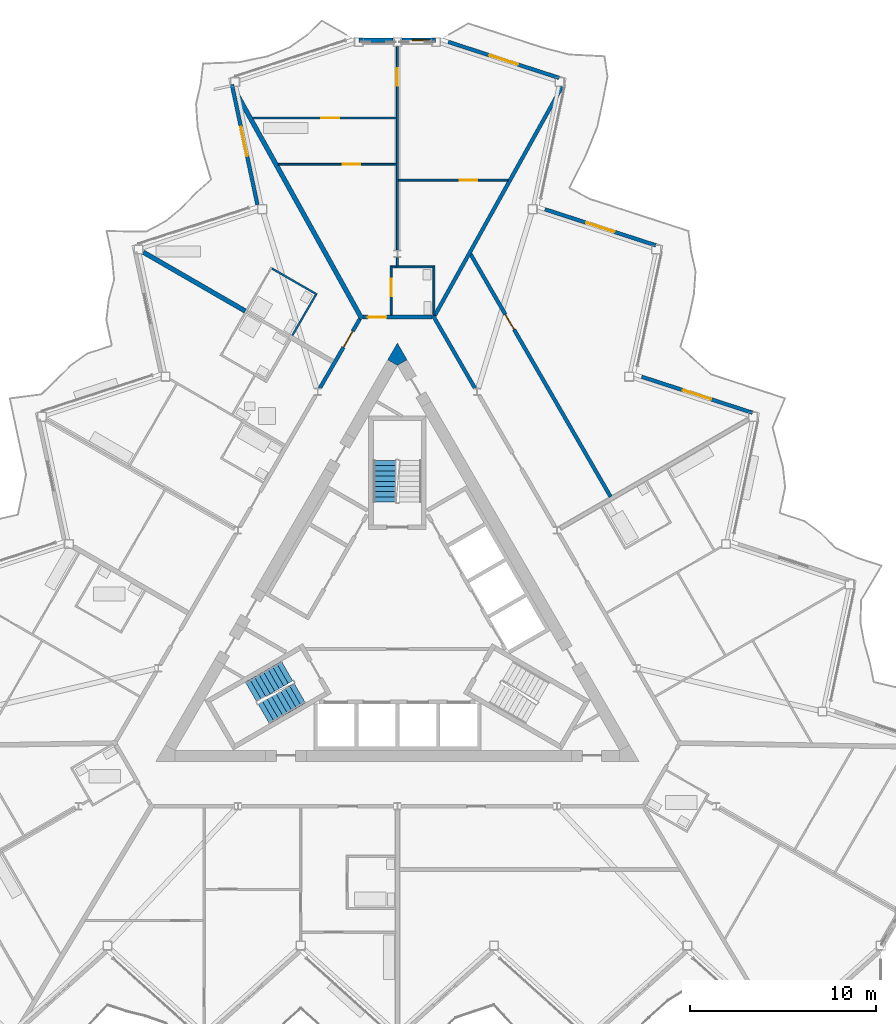
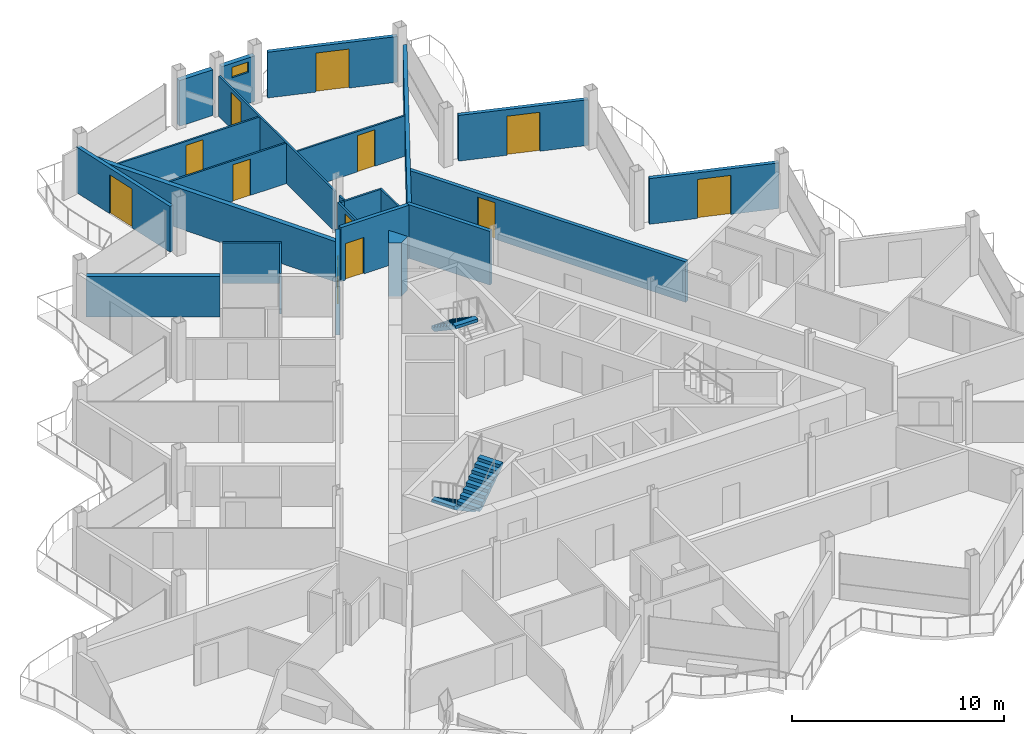
# One storey, part 17 of 26: 25 walls, 12 doors, 3 stair flights, 1 window, 13 openings, 2 elements without a shape of their own.
"""IFC4 building model written with IfcOpenShell, lengths in metres."""

from ifc_helpers import new_model, si_unit, direction, frame, frame_2d, origin, place, context, subcontext, project, spatial, polyline, rectangle, outline, extrude, material, layer, layer_set, type_object, element, fill, aggregate, save


model = new_model("IFC4")

# Units and contexts
model_context = context("Model", 3, precision=1e-05, world=origin(), true_north=direction((0.0, 1.0)))
body_context = subcontext(model_context, "Body", "Model", "MODEL_VIEW")
ifc_project = project(units=[si_unit("LENGTHUNIT", "METRE"), si_unit("AREAUNIT", "SQUARE_METRE"), si_unit("VOLUMEUNIT", "CUBIC_METRE"), si_unit("PLANEANGLEUNIT", "RADIAN"), si_unit("MASSUNIT", "GRAM", prefix="KILO")], contexts=[model_context])

# Site, building, storey
site_placement = place(None, origin())
site = spatial("IfcSite", under=ifc_project, at=site_placement, CompositionType="ELEMENT")
building_placement = place(site_placement, origin())
building = spatial("IfcBuilding", under=site, at=building_placement, Name="Cormorant Prow Tower", CompositionType="ELEMENT")
storey_placement = place(building_placement, frame((0.0, 0.0, 384.800048828125)))
storey = spatial("IfcBuildingStorey", under=building, at=storey_placement, Name="L87", CompositionType="ELEMENT", Elevation=384.800048828125)

# Walls
ifc_material_1 = material(Name="Concrete 8000 psi", Category="concrete")
ifc_layer_1 = layer(ifc_material_1, 0.60009765625)
ifc_layer_set_1 = layer_set([ifc_layer_1], Name="Concrete 8000 psi")
wall_type_1 = type_object("IfcWallType", Name="Core shear wall 600", PredefinedType="SHEAR", material=ifc_layer_set_1)
wall_1_placement = place(storey_placement, origin())
element("IfcWall", 1, at=wall_1_placement, inside=storey, type_object=wall_type_1, Name="Core wall corner", PredefinedType="SHEAR", context=body_context, shape_type="SweptSolid", body=[
    extrude(outline(polyline([(-0.51953125, 14.111083984375), (0.0, 15.010986328125), (0.51953125, 14.111083984375), (0.0, 13.81103515625), (-0.51953125, 14.111083984375)])), origin(), (0.0, 0.0, 1.0), 3.099853515625),
])
ifc_material_2 = material(Name="Gypsum board corridor wall")
ifc_layer_2 = layer(ifc_material_2, 0.199951171875)
ifc_layer_set_2 = layer_set([ifc_layer_2], Name="Gypsum board corridor wall")
wall_type_2 = type_object("IfcWallType", Name="Corridor wall 200", PredefinedType="PARTITIONING", material=ifc_layer_set_2)
wall_2_placement = place(storey_placement, frame((1.9130859375, 16.497802734375, 0.0), z_axis=(0.0, 0.0, 1.0), x_axis=(0.499974648164, -0.866040040179, 0.0)))
element("IfcWall", 2, at=wall_2_placement, inside=storey, type_object=wall_type_2, Name="Corridor wall", PredefinedType="PARTITIONING", context=body_context, shape_type="SweptSolid", body=[
    extrude(rectangle(XDim=4.525146484375, YDim=0.199951171875, at=frame_2d((2.2626953125, 0.0))), origin(), (0.0, 0.0, 1.0), 3.099853515625),
])

# Wall, opening, door
wall_3_placement = place(storey_placement, frame((-4.175537109375, 12.578857421875, 0.0), z_axis=(0.0, 0.0, 1.0), x_axis=(0.500004215162, 0.866022970146, 0.0)))
wall_3 = element("IfcWall", 3, at=wall_3_placement, inside=storey, type_object=wall_type_2, Name="Corridor wall", PredefinedType="PARTITIONING", context=body_context, shape_type="SweptSolid", body=[
    extrude(rectangle(XDim=4.30029296875, YDim=0.199951171875, at=frame_2d((2.150146484375, 0.0))), origin(), (0.0, 0.0, 1.0), 3.099853515625),
])
opening_1_placement = place(wall_3_placement, frame((2.550048828125, 0.0, 0.0)))
opening_1 = element("IfcOpeningElement", 4, at=opening_1_placement, cuts=wall_3, Name="Opening L87-F31", PredefinedType="OPENING", context=body_context, shape_type="SweptSolid", body=[
    extrude(rectangle(XDim=1.0, YDim=2.10009765625, at=frame_2d((0.5, 1.050048828125))), frame((0.0, 0.10986328125, 0.0), z_axis=(0.0, -1.0, 0.0), x_axis=(1.0, 0.0, 0.0)), (0.0, 0.0, 1.0), 0.219970703125),
])
ifc_material_3 = material(Name="Timber door leaf", Category="wood")
door_type_1 = type_object("IfcDoorType", Name="Flat or room entrance door 1000x2100", OperationType="NOTDEFINED", PredefinedType="DOOR", material=ifc_material_3)
door_1_placement = place(opening_1_placement, origin())
door_1 = element("IfcDoor", 5, at=door_1_placement, inside=storey, type_object=door_type_1, Name="Studio living, kitchen and sleeping room door", OperationType="SINGLE_SWING_RIGHT", OverallHeight=2.10009765625, OverallWidth=1.0, PredefinedType="DOOR", context=body_context, shape_type="SweptSolid", body=[
    extrude(rectangle(XDim=1.0, YDim=2.10009765625, at=frame_2d((0.5, 1.050048828125))), frame((0.0, 0.02490234375, 0.0), z_axis=(0.0, -1.0, 0.0), x_axis=(1.0, 0.0, 0.0)), (0.0, 0.0, 1.0), 0.050048828125),
])
fill(opening_1, door_1)

wall_4_placement = place(storey_placement, frame((-1.837890625, 16.4111328125, 0.0), z_axis=(0.0, 0.0, 1.0), x_axis=(1.0, 0.0, 0.0)))
wall_4 = element("IfcWall", 6, at=wall_4_placement, inside=storey, type_object=wall_type_2, Name="Corridor wall", PredefinedType="PARTITIONING", context=body_context, shape_type="SweptSolid", body=[
    extrude(rectangle(XDim=3.700927734375, YDim=0.199951171875, at=frame_2d((1.8505859375, 0.0))), origin(), (0.0, 0.0, 1.0), 3.099853515625),
])
opening_2_placement = place(wall_4_placement, frame((0.25, 0.0, 0.0)))
opening_2 = element("IfcOpeningElement", 7, at=opening_2_placement, cuts=wall_4, Name="Opening L87-F25", PredefinedType="OPENING", context=body_context, shape_type="SweptSolid", body=[
    extrude(rectangle(XDim=1.0, YDim=2.10009765625, at=frame_2d((0.5, 1.050048828125))), frame((0.0, 0.10986328125, 0.0), z_axis=(0.0, -1.0, 0.0), x_axis=(1.0, 0.0, 0.0)), (0.0, 0.0, 1.0), 0.219970703125),
])
door_2_placement = place(opening_2_placement, origin())
door_2 = element("IfcDoor", 8, at=door_2_placement, inside=storey, type_object=door_type_1, Name="Living room door", OperationType="SINGLE_SWING_RIGHT", OverallHeight=2.10009765625, OverallWidth=1.0, PredefinedType="DOOR", context=body_context, shape_type="SweptSolid", body=[
    extrude(rectangle(XDim=1.0, YDim=2.10009765625, at=frame_2d((0.5, 1.050048828125))), frame((0.0, 0.02490234375, 0.0), z_axis=(0.0, -1.0, 0.0), x_axis=(1.0, 0.0, 0.0)), (0.0, 0.0, 1.0), 0.050048828125),
])
fill(opening_2, door_2)

ifc_material_4 = material(Name="Gypsum board demising wall")
ifc_layer_3 = layer(ifc_material_4, 0.199951171875)
ifc_layer_set_3 = layer_set([ifc_layer_3], Name="Gypsum board demising wall")
wall_type_3 = type_object("IfcWallType", Name="Demising wall 200", PredefinedType="PARTITIONING", material=ifc_layer_set_3)
wall_5_placement = place(storey_placement, frame((3.926025390625, 19.81103515625, 0.0), z_axis=(0.0, 0.0, 1.0), x_axis=(0.500001082559, -0.866024778768, 0.0)))
wall_5 = element("IfcWall", 9, at=wall_5_placement, inside=storey, type_object=wall_type_3, Name="Demising wall", PredefinedType="PARTITIONING", context=body_context, shape_type="SweptSolid", body=[
    extrude(rectangle(XDim=15.09375, YDim=0.199951171875, at=frame_2d((7.546875, 0.0))), origin(), (0.0, 0.0, 1.0), 2.330078125),
])
opening_3_placement = place(wall_5_placement, frame((3.76123046875, 0.0, 0.0)))
opening_3 = element("IfcOpeningElement", 10, at=opening_3_placement, cuts=wall_5, Name="Opening L87-F24", PredefinedType="OPENING", context=body_context, shape_type="SweptSolid", body=[
    extrude(rectangle(XDim=0.949951171875, YDim=2.10009765625, at=frame_2d((0.47509765625, 1.050048828125))), frame((0.0, 0.10986328125, 0.0), z_axis=(0.0, -1.0, 0.0), x_axis=(1.0, 0.0, 0.0)), (0.0, 0.0, 1.0), 0.219970703125),
])
ifc_material_5 = material(Name="Timber door leaf", Category="wood")
door_type_2 = type_object("IfcDoorType", Name="Store door 950x2100", OperationType="NOTDEFINED", PredefinedType="DOOR", material=ifc_material_5)
door_3_placement = place(opening_3_placement, origin())
door_3 = element("IfcDoor", 11, at=door_3_placement, inside=storey, type_object=door_type_2, Name="Bicycle store door", OperationType="SINGLE_SWING_RIGHT", OverallHeight=2.10009765625, OverallWidth=0.949951171875, PredefinedType="DOOR", context=body_context, shape_type="SweptSolid", body=[
    extrude(rectangle(XDim=0.949951171875, YDim=2.10009765625, at=frame_2d((0.47509765625, 1.050048828125))), frame((0.0, 0.02490234375, 0.0), z_axis=(0.0, -1.0, 0.0), x_axis=(1.0, 0.0, 0.0)), (0.0, 0.0, 1.0), 0.050048828125),
])
fill(opening_3, door_3)

# Wall
wall_6_placement = place(storey_placement, frame((2.01171875, 16.498291015625, 0.0), z_axis=(0.0, 0.0, 1.0), x_axis=(0.485991996179, 0.873963259897, 0.0)))
element("IfcWall", 12, at=wall_6_placement, inside=storey, type_object=wall_type_3, Name="Demising wall", PredefinedType="PARTITIONING", context=body_context, shape_type="SweptSolid", body=[
    extrude(rectangle(XDim=14.072509765625, YDim=0.199951171875, at=frame_2d((7.0361328125, 0.0))), origin(), (0.0, 0.0, 1.0), 2.330078125),
])

# Wall, opening, door
ifc_material_6 = material(Name="Gypsum board partition")
ifc_layer_4 = layer(ifc_material_6, 0.10009765625)
ifc_layer_set_4 = layer_set([ifc_layer_4], Name="Gypsum board partition")
wall_type_4 = type_object("IfcWallType", Name="Internal partition 100", PredefinedType="PARTITIONING", material=ifc_layer_set_4)
wall_7_placement = place(storey_placement, frame((0.0, 20.008056640625, 0.0), z_axis=(0.0, 0.0, 1.0), x_axis=(0.0, 1.0, 0.0)))
wall_7 = element("IfcWall", 13, at=wall_7_placement, inside=storey, type_object=wall_type_4, Name="Internal partition", PredefinedType="PARTITIONING", context=body_context, shape_type="SweptSolid", body=[
    extrude(rectangle(XDim=10.951416015625, YDim=0.10009765625, at=frame_2d((5.4755859375, 0.0))), origin(), (0.0, 0.0, 1.0), 2.330078125),
])
opening_4_placement = place(wall_7_placement, frame((8.851318359375, 0.0, 0.0)))
opening_4 = element("IfcOpeningElement", 14, at=opening_4_placement, cuts=wall_7, Name="Opening L87-F29", PredefinedType="OPENING", context=body_context, shape_type="SweptSolid", body=[
    extrude(rectangle(XDim=0.949951171875, YDim=2.10009765625, at=frame_2d((0.47509765625, 1.050048828125))), frame((0.0, 0.06005859375, 0.0), z_axis=(0.0, -1.0, 0.0), x_axis=(1.0, 0.0, 0.0)), (0.0, 0.0, 1.0), 0.1201171875),
])
ifc_material_7 = material(Name="Timber door leaf", Category="wood")
door_type_3 = type_object("IfcDoorType", Name="Bathroom door 950x2100", OperationType="NOTDEFINED", PredefinedType="DOOR", material=ifc_material_7)
door_4_placement = place(opening_4_placement, origin())
door_4 = element("IfcDoor", 15, at=door_4_placement, inside=storey, type_object=door_type_3, Name="Dining room door", OperationType="SINGLE_SWING_LEFT", OverallHeight=2.10009765625, OverallWidth=0.949951171875, PredefinedType="DOOR", context=body_context, shape_type="SweptSolid", body=[
    extrude(rectangle(XDim=0.949951171875, YDim=2.10009765625, at=frame_2d((0.47509765625, 1.050048828125))), frame((0.0, 0.02490234375, 0.0), z_axis=(0.0, -1.0, 0.0), x_axis=(1.0, 0.0, 0.0)), (0.0, 0.0, 1.0), 0.050048828125),
])
fill(opening_4, door_4)

wall_8_placement = place(storey_placement, frame((-7.793212890625, 27.1201171875, 0.0), z_axis=(0.0, 0.0, 1.0), x_axis=(1.0, 0.0, 0.0)))
wall_8 = element("IfcWall", 16, at=wall_8_placement, inside=storey, type_object=wall_type_4, Name="Internal partition", PredefinedType="PARTITIONING", context=body_context, shape_type="SweptSolid", body=[
    extrude(rectangle(XDim=7.7431640625, YDim=0.10009765625, at=frame_2d((3.87158203125, 0.0))), origin(), (0.0, 0.0, 1.0), 2.330078125),
])
opening_5_placement = place(wall_8_placement, frame((3.701171875, 0.0, 0.0)))
opening_5 = element("IfcOpeningElement", 17, at=opening_5_placement, cuts=wall_8, Name="Opening L87-F28", PredefinedType="OPENING", context=body_context, shape_type="SweptSolid", body=[
    extrude(rectangle(XDim=0.949951171875, YDim=2.10009765625, at=frame_2d((0.47509765625, 1.050048828125))), frame((0.0, 0.06005859375, 0.0), z_axis=(0.0, -1.0, 0.0), x_axis=(1.0, 0.0, 0.0)), (0.0, 0.0, 1.0), 0.1201171875),
])
door_5_placement = place(opening_5_placement, origin())
door_5 = element("IfcDoor", 18, at=door_5_placement, inside=storey, type_object=door_type_3, Name="Kitchen door", OperationType="SINGLE_SWING_LEFT", OverallHeight=2.10009765625, OverallWidth=0.949951171875, PredefinedType="DOOR", context=body_context, shape_type="SweptSolid", body=[
    extrude(rectangle(XDim=0.949951171875, YDim=2.10009765625, at=frame_2d((0.47509765625, 1.050048828125))), frame((0.0, 0.02490234375, 0.0), z_axis=(0.0, -1.0, 0.0), x_axis=(1.0, 0.0, 0.0)), (0.0, 0.0, 1.0), 0.050048828125),
])
fill(opening_5, door_5)

wall_9_placement = place(storey_placement, frame((-6.407958984375, 24.629150390625, 0.0), z_axis=(0.0, 0.0, 1.0), x_axis=(1.0, 0.0, 0.0)))
wall_9 = element("IfcWall", 19, at=wall_9_placement, inside=storey, type_object=wall_type_4, Name="Internal partition", PredefinedType="PARTITIONING", context=body_context, shape_type="SweptSolid", body=[
    extrude(rectangle(XDim=6.35791015625, YDim=0.10009765625, at=frame_2d((3.178955078125, 0.0))), origin(), (0.0, 0.0, 1.0), 2.330078125),
])
opening_6_placement = place(wall_9_placement, frame((3.455322265625, 0.0, 0.0)))
opening_6 = element("IfcOpeningElement", 20, at=opening_6_placement, cuts=wall_9, Name="Opening L87-F27", PredefinedType="OPENING", context=body_context, shape_type="SweptSolid", body=[
    extrude(rectangle(XDim=0.949951171875, YDim=2.10009765625, at=frame_2d((0.47509765625, 1.050048828125))), frame((0.0, 0.06005859375, 0.0), z_axis=(0.0, -1.0, 0.0), x_axis=(1.0, 0.0, 0.0)), (0.0, 0.0, 1.0), 0.1201171875),
])
door_6_placement = place(opening_6_placement, origin())
door_6 = element("IfcDoor", 21, at=door_6_placement, inside=storey, type_object=door_type_3, Name="Living room door", OperationType="SINGLE_SWING_RIGHT", OverallHeight=2.10009765625, OverallWidth=0.949951171875, PredefinedType="DOOR", context=body_context, shape_type="SweptSolid", body=[
    extrude(rectangle(XDim=0.949951171875, YDim=2.10009765625, at=frame_2d((0.47509765625, 1.050048828125))), frame((0.0, 0.02490234375, 0.0), z_axis=(0.0, -1.0, 0.0), x_axis=(1.0, 0.0, 0.0)), (0.0, 0.0, 1.0), 0.050048828125),
])
fill(opening_6, door_6)

wall_10_placement = place(storey_placement, frame((0.050048828125, 23.7783203125, 0.0), z_axis=(0.0, 0.0, 1.0), x_axis=(1.0, 0.0, 0.0)))
wall_10 = element("IfcWall", 22, at=wall_10_placement, inside=storey, type_object=wall_type_4, Name="Internal partition", PredefinedType="PARTITIONING", context=body_context, shape_type="SweptSolid", body=[
    extrude(rectangle(XDim=5.909912109375, YDim=0.10009765625, at=frame_2d((2.955078125, 0.0))), origin(), (0.0, 0.0, 1.0), 2.330078125),
])
opening_7_placement = place(wall_10_placement, frame((3.291015625, 0.0, 0.0)))
opening_7 = element("IfcOpeningElement", 23, at=opening_7_placement, cuts=wall_10, Name="Opening L87-F30", PredefinedType="OPENING", context=body_context, shape_type="SweptSolid", body=[
    extrude(rectangle(XDim=0.949951171875, YDim=2.10009765625, at=frame_2d((0.47509765625, 1.050048828125))), frame((0.0, 0.06005859375, 0.0), z_axis=(0.0, -1.0, 0.0), x_axis=(1.0, 0.0, 0.0)), (0.0, 0.0, 1.0), 0.1201171875),
])
door_7_placement = place(opening_7_placement, origin())
door_7 = element("IfcDoor", 24, at=door_7_placement, inside=storey, type_object=door_type_3, Name="Principal bedroom door", OperationType="SINGLE_SWING_RIGHT", OverallHeight=2.10009765625, OverallWidth=0.949951171875, PredefinedType="DOOR", context=body_context, shape_type="SweptSolid", body=[
    extrude(rectangle(XDim=0.949951171875, YDim=2.10009765625, at=frame_2d((0.47509765625, 1.050048828125))), frame((0.0, 0.02490234375, 0.0), z_axis=(0.0, -1.0, 0.0), x_axis=(1.0, 0.0, 0.0)), (0.0, 0.0, 1.0), 0.050048828125),
])
fill(opening_7, door_7)

# Walls
wall_11_placement = place(storey_placement, frame((-6.748291015625, 19.022705078125, 0.0), z_axis=(0.0, 0.0, 1.0), x_axis=(0.866034573852, -0.49998411664, 0.0)))
element("IfcWall", 25, at=wall_11_placement, inside=storey, type_object=wall_type_4, Name="Internal partition", PredefinedType="PARTITIONING", context=body_context, shape_type="SweptSolid", body=[
    extrude(rectangle(XDim=2.7998046875, YDim=0.10009765625, at=frame_2d((1.39990234375, 0.0))), origin(), (0.0, 0.0, 1.0), 2.330078125),
])
wall_12_placement = place(storey_placement, frame((-5.654296875, 15.417724609375, 0.0), z_axis=(0.0, 0.0, 1.0), x_axis=(0.500048846702, 0.865997200291, 0.0)))
element("IfcWall", 26, at=wall_12_placement, inside=storey, type_object=wall_type_4, Name="Internal partition", PredefinedType="PARTITIONING", context=body_context, shape_type="SweptSolid", body=[
    extrude(rectangle(XDim=2.525146484375, YDim=0.10009765625, at=frame_2d((1.2626953125, 0.0))), origin(), (0.0, 0.0, 1.0), 2.330078125),
])
wall_13_placement = place(storey_placement, frame((1.962890625, 16.510986328125, 0.0), z_axis=(0.0, 0.0, 1.0), x_axis=(0.0, 1.0, 0.0)))
element("IfcWall", 27, at=wall_13_placement, inside=storey, type_object=wall_type_4, Name="Internal partition", PredefinedType="PARTITIONING", context=body_context, shape_type="SweptSolid", body=[
    extrude(rectangle(XDim=2.650146484375, YDim=0.10009765625, at=frame_2d((1.3251953125, 0.0))), origin(), (0.0, 0.0, 1.0), 2.330078125),
])

# Wall, opening, door
wall_14_placement = place(storey_placement, frame((-0.3369140625, 16.510986328125, 0.0), z_axis=(0.0, 0.0, 1.0), x_axis=(0.0, 1.0, 0.0)))
wall_14 = element("IfcWall", 28, at=wall_14_placement, inside=storey, type_object=wall_type_4, Name="Internal partition", PredefinedType="PARTITIONING", context=body_context, shape_type="SweptSolid", body=[
    extrude(rectangle(XDim=2.649169921875, YDim=0.10009765625, at=frame_2d((1.32470703125, 0.0))), origin(), (0.0, 0.0, 1.0), 2.330078125),
])
opening_8_placement = place(wall_14_placement, frame((1.01318359375, 0.0, 0.0)))
opening_8 = element("IfcOpeningElement", 29, at=opening_8_placement, cuts=wall_14, Name="Opening L87-F26", PredefinedType="OPENING", context=body_context, shape_type="SweptSolid", body=[
    extrude(rectangle(XDim=0.949951171875, YDim=2.10009765625, at=frame_2d((0.47509765625, 1.050048828125))), frame((0.0, 0.06005859375, 0.0), z_axis=(0.0, -1.0, 0.0), x_axis=(1.0, 0.0, 0.0)), (0.0, 0.0, 1.0), 0.1201171875),
])
door_8_placement = place(opening_8_placement, origin())
door_8 = element("IfcDoor", 30, at=door_8_placement, inside=storey, type_object=door_type_3, Name="Living room door", OperationType="SINGLE_SWING_RIGHT", OverallHeight=2.10009765625, OverallWidth=0.949951171875, PredefinedType="DOOR", context=body_context, shape_type="SweptSolid", body=[
    extrude(rectangle(XDim=0.949951171875, YDim=2.10009765625, at=frame_2d((0.47509765625, 1.050048828125))), frame((0.0, 0.02490234375, 0.0), z_axis=(0.0, -1.0, 0.0), x_axis=(1.0, 0.0, 0.0)), (0.0, 0.0, 1.0), 0.050048828125),
])
fill(opening_8, door_8)

# Walls
wall_15_placement = place(storey_placement, frame((-0.06005859375, 19.111083984375, 0.0), z_axis=(0.0, 0.0, 1.0), x_axis=(1.0, 0.0, 0.0)))
element("IfcWall", 31, at=wall_15_placement, inside=storey, type_object=wall_type_4, Name="Internal partition", PredefinedType="PARTITIONING", context=body_context, shape_type="SweptSolid", body=[
    extrude(rectangle(XDim=1.97314453125, YDim=0.10009765625, at=frame_2d((0.986572265625, 0.0))), origin(), (0.0, 0.0, 1.0), 2.330078125),
])
wall_16_placement = place(storey_placement, frame((0.0, 19.1611328125, 0.0), z_axis=(0.0, 0.0, 1.0), x_axis=(0.0, 1.0, 0.0)))
element("IfcWall", 32, at=wall_16_placement, inside=storey, type_object=wall_type_4, Name="Internal partition", PredefinedType="PARTITIONING", context=body_context, shape_type="SweptSolid", body=[
    extrude(rectangle(XDim=0.452880859375, YDim=0.10009765625, at=frame_2d((0.2265625, 0.0))), origin(), (0.0, 0.0, 1.0), 2.330078125),
])
wall_17_placement = place(storey_placement, frame((-0.287109375, 19.1103515625, 0.0), z_axis=(0.0, 0.0, 1.0), x_axis=(0.999994683407, 0.003260852229, 0.0)))
element("IfcWall", 33, at=wall_17_placement, inside=storey, type_object=wall_type_4, Name="Internal partition", PredefinedType="PARTITIONING", context=body_context, shape_type="SweptSolid", body=[
    extrude(rectangle(XDim=0.224609375, YDim=0.10009765625, at=frame_2d((0.1123046875, 0.0))), origin(), (0.0, 0.0, 1.0), 2.330078125),
])
ifc_material_8 = material(Name="Acoustic gypsum party wall")
ifc_layer_5 = layer(ifc_material_8, 0.25)
ifc_layer_set_5 = layer_set([ifc_layer_5], Name="Acoustic gypsum party wall")
wall_type_5 = type_object("IfcWallType", Name="Suite party wall 250", PredefinedType="PARTITIONING", material=ifc_layer_set_5)
wall_18_placement = place(storey_placement, frame((-8.68505859375, 28.4990234375, 0.0), z_axis=(0.0, 0.0, 1.0), x_axis=(0.486017177904, -0.873949256412, 0.0)))
element("IfcWall", 34, at=wall_18_placement, inside=storey, type_object=wall_type_5, Name="Suite party wall", PredefinedType="PARTITIONING", context=body_context, shape_type="SweptSolid", body=[
    extrude(rectangle(XDim=13.956298828125, YDim=0.25, at=frame_2d((6.97802734375, 0.0))), origin(), (0.0, 0.0, 1.0), 2.330078125),
])
wall_19_placement = place(storey_placement, frame((-13.668701171875, 19.900390625, 0.0), z_axis=(0.0, 0.0, 1.0), x_axis=(0.866032778651, -0.499987226139, 0.0)))
element("IfcWall", 35, at=wall_19_placement, inside=storey, type_object=wall_type_5, Name="Suite party wall", PredefinedType="PARTITIONING", context=body_context, shape_type="SweptSolid", body=[
    extrude(rectangle(XDim=6.332275390625, YDim=0.25, at=frame_2d((3.166015625, 0.0))), origin(), (0.0, 0.0, 1.0), 2.330078125),
])

# Wall, opening, window
ifc_material_9 = material(Name="Terracotta", Category="masonry")
ifc_layer_6 = layer(ifc_material_9, 0.25)
ifc_layer_set_6 = layer_set([ifc_layer_6], Name="Terracotta")
wall_type_6 = type_object("IfcWallType", Name="Terracotta bay wall 250", PredefinedType="SOLIDWALL", material=ifc_layer_set_6)
wall_20_placement = place(storey_placement, frame((2.0576171875, 31.29638671875, 0.0), z_axis=(0.0, 0.0, 1.0), x_axis=(-1.0, 0.0, 0.0)))
wall_20 = element("IfcWall", 36, at=wall_20_placement, inside=storey, type_object=wall_type_6, Name="Terracotta bay wall N00", PredefinedType="SOLIDWALL", context=body_context, shape_type="SweptSolid", body=[
    extrude(rectangle(XDim=1.8076171875, YDim=0.25, at=frame_2d((0.90380859375, 0.0))), origin(), (0.0, 0.0, 1.0), 2.6337890625),
])
opening_9_placement = place(wall_20_placement, frame((0.35009765625, 0.0, 1.800048828125)))
opening_9 = element("IfcOpeningElement", 37, at=opening_9_placement, cuts=wall_20, Name="Opening WN7", PredefinedType="OPENING", context=body_context, shape_type="SweptSolid", body=[
    extrude(rectangle(XDim=0.89990234375, YDim=0.60009765625, at=frame_2d((0.449951171875, 0.300048828125))), frame((0.0, 0.135009765625, 0.0), z_axis=(0.0, -1.0, 0.0), x_axis=(1.0, 0.0, 0.0)), (0.0, 0.0, 1.0), 0.27001953125),
])
ifc_material_10 = material(Name="Aluminium 6063-T6", Category="aluminium")
window_type = type_object("IfcWindowType", Name="Corner bay window 900x600", PartitioningType="SINGLE_PANEL", PredefinedType="WINDOW", material=ifc_material_10)
window_placement = place(opening_9_placement, origin())
window = element("IfcWindow", 38, at=window_placement, inside=storey, type_object=window_type, Name="Corner bay window N00", OverallHeight=0.60009765625, OverallWidth=0.89990234375, PartitioningType="SINGLE_PANEL", PredefinedType="WINDOW", context=body_context, shape_type="SweptSolid", body=[
    extrude(rectangle(XDim=0.89990234375, YDim=0.60009765625, at=frame_2d((0.449951171875, 0.300048828125))), frame((0.0, 0.030029296875, 0.0), z_axis=(0.0, -1.0, 0.0), x_axis=(1.0, 0.0, 0.0)), (0.0, 0.0, 1.0), 0.06005859375),
])
fill(opening_9, window)

# Wall
wall_21_placement = place(storey_placement, frame((-0.25, 31.29638671875, 0.0), z_axis=(0.0, 0.0, 1.0), x_axis=(-1.0, 0.0, 0.0)))
element("IfcWall", 39, at=wall_21_placement, inside=storey, type_object=wall_type_6, Name="Terracotta bay wall N01", PredefinedType="SOLIDWALL", context=body_context, shape_type="SweptSolid", body=[
    extrude(rectangle(XDim=1.8076171875, YDim=0.25, at=frame_2d((0.90380859375, 0.0))), origin(), (0.0, 0.0, 1.0), 2.6337890625),
])

# Wall, opening, door
ifc_material_11 = material(Name="Terracotta", Category="masonry")
ifc_layer_7 = layer(ifc_material_11, 0.199951171875)
ifc_layer_set_7 = layer_set([ifc_layer_7], Name="Terracotta")
wall_type_7 = type_object("IfcWallType", Name="Terracotta jamb wall 200", PredefinedType="SOLIDWALL", material=ifc_layer_set_7)
wall_22_placement = place(storey_placement, frame((19.099365234375, 11.263916015625, 0.0), z_axis=(0.0, 0.0, 1.0), x_axis=(-0.951056402988, 0.3090173431, 0.0)))
wall_22 = element("IfcWall", 40, at=wall_22_placement, inside=storey, type_object=wall_type_7, Name="Terracotta jamb wall ENE05", PredefinedType="SOLIDWALL", context=body_context, shape_type="SweptSolid", body=[
    extrude(rectangle(XDim=6.26513671875, YDim=0.199951171875, at=frame_2d((3.132568359375, 0.0))), origin(), (0.0, 0.0, 1.0), 2.6337890625),
])
opening_10_placement = place(wall_22_placement, frame((2.332763671875, 0.0, 0.0)))
opening_10 = element("IfcOpeningElement", 41, at=opening_10_placement, cuts=wall_22, Name="Opening ED87.08", PredefinedType="OPENING", context=body_context, shape_type="SweptSolid", body=[
    extrude(rectangle(XDim=1.60009765625, YDim=2.25, at=frame_2d((0.800048828125, 1.125))), frame((0.0, 0.10986328125, 0.0), z_axis=(0.0, -1.0, 0.0), x_axis=(1.0, 0.0, 0.0)), (0.0, 0.0, 1.0), 0.219970703125),
])
ifc_material_12 = material(Name="Aluminium 6063-T6", Category="aluminium")
door_type_4 = type_object("IfcDoorType", Name="Balcony door 1600x2250", OperationType="DOUBLE_DOOR_SINGLE_SWING", PredefinedType="DOOR", material=ifc_material_12)
door_9_placement = place(opening_10_placement, origin())
door_9 = element("IfcDoor", 42, at=door_9_placement, inside=storey, type_object=door_type_4, Name="Balcony door ENE05 ED87.08", OperationType="DOUBLE_DOOR_SINGLE_SWING", OverallHeight=2.25, OverallWidth=1.60009765625, PredefinedType="DOOR", context=body_context, shape_type="SweptSolid", body=[
    extrude(rectangle(XDim=1.60009765625, YDim=2.25, at=frame_2d((0.800048828125, 1.125))), frame((0.0, 0.02490234375, 0.0), z_axis=(0.0, -1.0, 0.0), x_axis=(1.0, 0.0, 0.0)), (0.0, 0.0, 1.0), 0.050048828125),
])
fill(opening_10, door_9)

wall_23_placement = place(storey_placement, frame((13.8994140625, 20.2705078125, 0.0), z_axis=(0.0, 0.0, 1.0), x_axis=(-0.951056402988, 0.3090173431, 0.0)))
wall_23 = element("IfcWall", 43, at=wall_23_placement, inside=storey, type_object=wall_type_7, Name="Terracotta jamb wall ENE07", PredefinedType="SOLIDWALL", context=body_context, shape_type="SweptSolid", body=[
    extrude(rectangle(XDim=6.26513671875, YDim=0.199951171875, at=frame_2d((3.132568359375, 0.0))), origin(), (0.0, 0.0, 1.0), 2.6337890625),
])
opening_11_placement = place(wall_23_placement, frame((2.332763671875, 0.0, 0.0)))
opening_11 = element("IfcOpeningElement", 44, at=opening_11_placement, cuts=wall_23, Name="Opening ED87.09", PredefinedType="OPENING", context=body_context, shape_type="SweptSolid", body=[
    extrude(rectangle(XDim=1.60009765625, YDim=2.25, at=frame_2d((0.800048828125, 1.125))), frame((0.0, 0.10986328125, 0.0), z_axis=(0.0, -1.0, 0.0), x_axis=(1.0, 0.0, 0.0)), (0.0, 0.0, 1.0), 0.219970703125),
])
door_10_placement = place(opening_11_placement, origin())
door_10 = element("IfcDoor", 45, at=door_10_placement, inside=storey, type_object=door_type_4, Name="Balcony door ENE07 ED87.09", OperationType="DOUBLE_DOOR_SINGLE_SWING", OverallHeight=2.25, OverallWidth=1.60009765625, PredefinedType="DOOR", context=body_context, shape_type="SweptSolid", body=[
    extrude(rectangle(XDim=1.60009765625, YDim=2.25, at=frame_2d((0.800048828125, 1.125))), frame((0.0, 0.02490234375, 0.0), z_axis=(0.0, -1.0, 0.0), x_axis=(1.0, 0.0, 0.0)), (0.0, 0.0, 1.0), 0.050048828125),
])
fill(opening_11, door_10)

wall_24_placement = place(storey_placement, frame((8.699462890625, 29.277099609375, 0.0), z_axis=(0.0, 0.0, 1.0), x_axis=(-0.951048671744, 0.309041136379, 0.0)))
wall_24 = element("IfcWall", 46, at=wall_24_placement, inside=storey, type_object=wall_type_7, Name="Terracotta jamb wall ENE09", PredefinedType="SOLIDWALL", context=body_context, shape_type="SweptSolid", body=[
    extrude(rectangle(XDim=6.265380859375, YDim=0.199951171875, at=frame_2d((3.1328125, 0.0))), origin(), (0.0, 0.0, 1.0), 2.6337890625),
])
opening_12_placement = place(wall_24_placement, frame((2.332763671875, 0.0, 0.0)))
opening_12 = element("IfcOpeningElement", 47, at=opening_12_placement, cuts=wall_24, Name="Opening ED87.10", PredefinedType="OPENING", context=body_context, shape_type="SweptSolid", body=[
    extrude(rectangle(XDim=1.60009765625, YDim=2.25, at=frame_2d((0.800048828125, 1.125))), frame((0.0, 0.10986328125, 0.0), z_axis=(0.0, -1.0, 0.0), x_axis=(1.0, 0.0, 0.0)), (0.0, 0.0, 1.0), 0.219970703125),
])
door_11_placement = place(opening_12_placement, origin())
door_11 = element("IfcDoor", 48, at=door_11_placement, inside=storey, type_object=door_type_4, Name="Balcony door ENE09 ED87.10", OperationType="DOUBLE_DOOR_SINGLE_SWING", OverallHeight=2.25, OverallWidth=1.60009765625, PredefinedType="DOOR", context=body_context, shape_type="SweptSolid", body=[
    extrude(rectangle(XDim=1.60009765625, YDim=2.25, at=frame_2d((0.800048828125, 1.125))), frame((0.0, 0.02490234375, 0.0), z_axis=(0.0, -1.0, 0.0), x_axis=(1.0, 0.0, 0.0)), (0.0, 0.0, 1.0), 0.050048828125),
])
fill(opening_12, door_11)

wall_25_placement = place(storey_placement, frame((-8.904541015625, 28.922119140625, 0.0), z_axis=(0.0, 0.0, 1.0), x_axis=(0.207917488951, -0.978146368285, 0.0)))
wall_25 = element("IfcWall", 49, at=wall_25_placement, inside=storey, type_object=wall_type_7, Name="Terracotta jamb wall WNW01", PredefinedType="SOLIDWALL", context=body_context, shape_type="SweptSolid", body=[
    extrude(rectangle(XDim=6.612060546875, YDim=0.199951171875, at=frame_2d((3.30615234375, 0.0))), origin(), (0.0, 0.0, 1.0), 2.6337890625),
])
opening_13_placement = place(wall_25_placement, frame((2.332763671875, 0.0, 0.0)))
opening_13 = element("IfcOpeningElement", 50, at=opening_13_placement, cuts=wall_25, Name="Opening ED87.11", PredefinedType="OPENING", context=body_context, shape_type="SweptSolid", body=[
    extrude(rectangle(XDim=1.60009765625, YDim=2.25, at=frame_2d((0.800048828125, 1.125))), frame((0.0, 0.10986328125, 0.0), z_axis=(0.0, -1.0, 0.0), x_axis=(1.0, 0.0, 0.0)), (0.0, 0.0, 1.0), 0.219970703125),
])
door_12_placement = place(opening_13_placement, origin())
door_12 = element("IfcDoor", 51, at=door_12_placement, inside=storey, type_object=door_type_4, Name="Balcony door WNW01 ED87.11", OperationType="DOUBLE_DOOR_SINGLE_SWING", OverallHeight=2.25, OverallWidth=1.60009765625, PredefinedType="DOOR", context=body_context, shape_type="SweptSolid", body=[
    extrude(rectangle(XDim=1.60009765625, YDim=2.25, at=frame_2d((0.800048828125, 1.125))), frame((0.0, 0.02490234375, 0.0), z_axis=(0.0, -1.0, 0.0), x_axis=(1.0, 0.0, 0.0)), (0.0, 0.0, 1.0), 0.050048828125),
])
fill(opening_13, door_12)

# Stair, stair flights
ifc_material_13 = material(Name="Exit stair 18 risers")
stair_type = type_object("IfcStairType", Name="Exit stair 18 risers", PredefinedType="HALF_TURN_STAIR", material=ifc_material_13)
stair_1_placement = place(storey_placement, origin())
stair_1 = element("IfcStair", 52, at=stair_1_placement, inside=storey, type_object=stair_type, Name="L87 Exit stair ST1", PredefinedType="HALF_TURN_STAIR")
ifc_material_14 = material(Name="Concrete 5000 psi", Category="concrete")
stair_flight_type = type_object("IfcStairFlightType", Name="Stair flight 1219", PredefinedType="STRAIGHT", material=ifc_material_14)
stair_flight_1_placement = place(storey_placement, frame((-5.93310546875, -2.635009765625, 0.0), z_axis=(0.0, 0.0, 1.0), x_axis=(-0.866025403784, -0.5, 0.0)))
stair_flight_1 = element("IfcStairFlight", 53, at=stair_flight_1_placement, type_object=stair_flight_type, Name="ST1 flight 1", NumberOfRisers=9, NumberOfTreads=8, PredefinedType="STRAIGHT", RiserHeight=0.188888889, TreadLength=0.28, context=body_context, shape_type="SweptSolid", body=[
    extrude(outline(polyline([(0.0, 0.0), (0.0, 0.18896484375), (0.280029296875, 0.18896484375), (0.280029296875, 0.377685546875), (0.56005859375, 0.377685546875), (0.56005859375, 0.566650390625), (0.840087890625, 0.566650390625), (0.840087890625, 0.755615234375), (1.1201171875, 0.755615234375), (1.1201171875, 0.9443359375), (1.39990234375, 0.9443359375), (1.39990234375, 1.13330078125), (1.679931640625, 1.13330078125), (1.679931640625, 1.322265625), (1.9599609375, 1.322265625), (1.9599609375, 1.51123046875), (2.239990234375, 1.51123046875), (2.239990234375, 1.699951171875), (2.239990234375, 1.330322265625), (0.26806640625, 0.0), (0.0, 0.0)])), frame((0.0, 0.609375, 0.0), z_axis=(0.0, -1.0, 0.0), x_axis=(1.0, 0.0, 0.0)), (0.0, 0.0, 1.0), 1.218994140625),
])
stair_flight_2_placement = place(storey_placement, frame((-7.1884765625, -4.940673828125, 1.699951171875), z_axis=(0.0, 0.0, 1.0), x_axis=(0.866025403784, 0.5, 0.0)))
stair_flight_2 = element("IfcStairFlight", 54, at=stair_flight_2_placement, type_object=stair_flight_type, Name="ST1 flight 2", NumberOfRisers=9, NumberOfTreads=8, PredefinedType="STRAIGHT", RiserHeight=0.188888889, TreadLength=0.28, context=body_context, shape_type="SweptSolid", body=[
    extrude(outline(polyline([(0.0, 0.0), (0.0, 0.18896484375), (0.280029296875, 0.18896484375), (0.280029296875, 0.377685546875), (0.56005859375, 0.377685546875), (0.56005859375, 0.566650390625), (0.840087890625, 0.566650390625), (0.840087890625, 0.755615234375), (1.1201171875, 0.755615234375), (1.1201171875, 0.9443359375), (1.39990234375, 0.9443359375), (1.39990234375, 1.13330078125), (1.679931640625, 1.13330078125), (1.679931640625, 1.322265625), (1.9599609375, 1.322265625), (1.9599609375, 1.51123046875), (2.239990234375, 1.51123046875), (2.239990234375, 1.699951171875), (2.239990234375, 1.330322265625), (0.26806640625, 0.0), (0.0, 0.0)])), frame((0.0, 0.609375, 0.0), z_axis=(0.0, -1.0, 0.0), x_axis=(1.0, 0.0, 0.0)), (0.0, 0.0, 1.0), 1.218994140625),
])
aggregate(stair_1, [stair_flight_1, stair_flight_2])

# Stair, stair flight
stair_2_placement = place(storey_placement, origin())
stair_2 = element("IfcStair", 55, at=stair_2_placement, inside=storey, type_object=stair_type, Name="L87 Exit stair ST3", PredefinedType="HALF_TURN_STAIR")
stair_flight_3_placement = place(storey_placement, frame((-0.6845703125, 8.69580078125, 1.699951171875), z_axis=(0.0, 0.0, 1.0), x_axis=(0.0, -1.0, 0.0)))
stair_flight_3 = element("IfcStairFlight", 56, at=stair_flight_3_placement, type_object=stair_flight_type, Name="ST3 flight 2", NumberOfRisers=9, NumberOfTreads=8, PredefinedType="STRAIGHT", RiserHeight=0.188888889, TreadLength=0.28, context=body_context, shape_type="SweptSolid", body=[
    extrude(outline(polyline([(0.0, 0.0), (0.0, 0.18896484375), (0.280029296875, 0.18896484375), (0.280029296875, 0.377685546875), (0.56005859375, 0.377685546875), (0.56005859375, 0.566650390625), (0.840087890625, 0.566650390625), (0.840087890625, 0.755615234375), (1.1201171875, 0.755615234375), (1.1201171875, 0.9443359375), (1.39990234375, 0.9443359375), (1.39990234375, 1.13330078125), (1.679931640625, 1.13330078125), (1.679931640625, 1.322265625), (1.9599609375, 1.322265625), (1.9599609375, 1.51123046875), (2.239990234375, 1.51123046875), (2.239990234375, 1.699951171875), (2.239990234375, 1.330322265625), (0.26806640625, 0.0), (0.0, 0.0)])), frame((0.0, 0.609375, 0.0), z_axis=(0.0, -1.0, 0.0), x_axis=(1.0, 0.0, 0.0)), (0.0, 0.0, 1.0), 1.218994140625),
])
aggregate(stair_2, [stair_flight_3])

save(model, "model.ifc")
